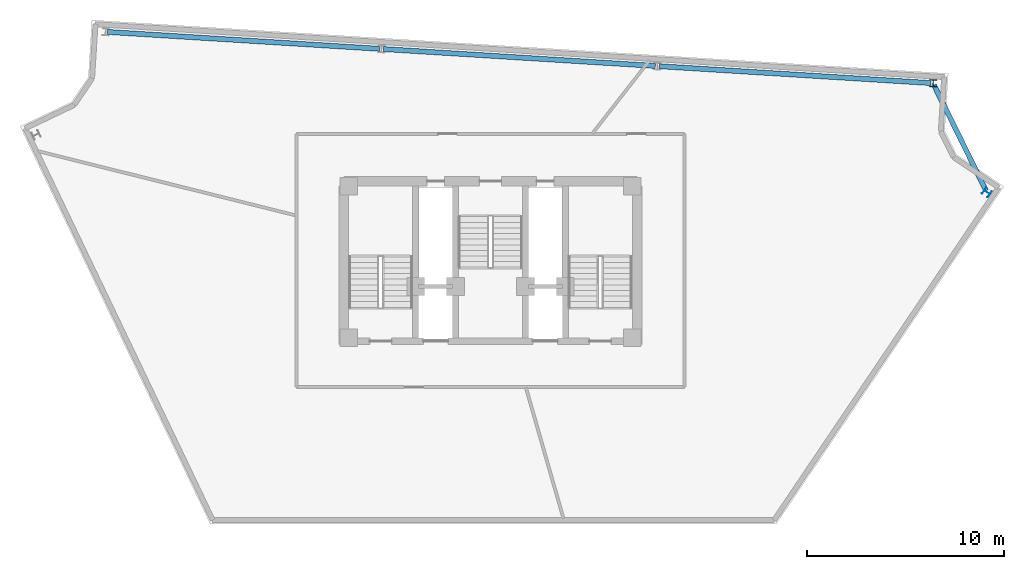
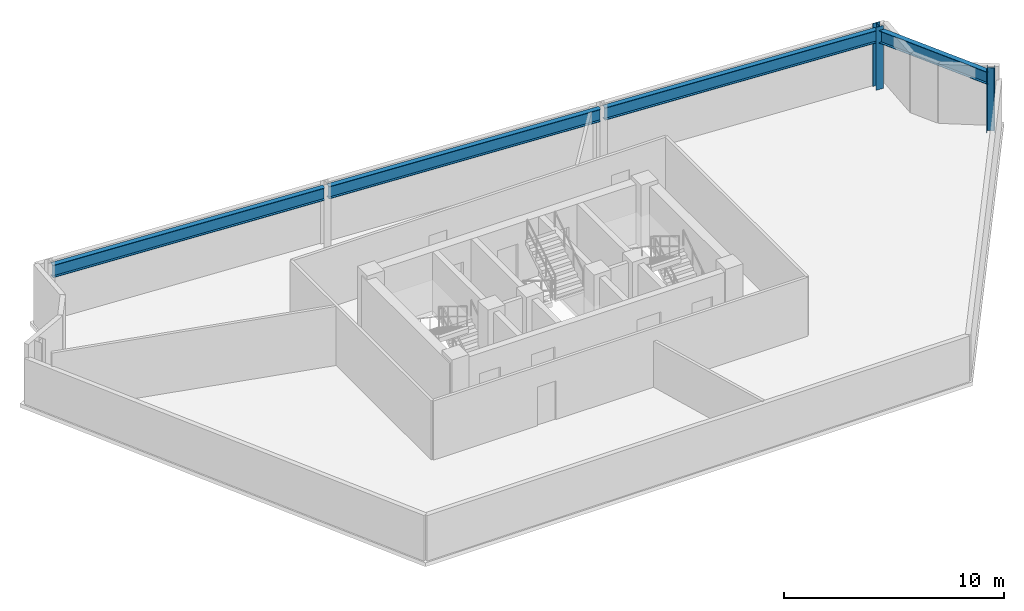
# One storey, part 2 of 5: 4 beams, 2 columns.
"""IFC4 building model written with IfcOpenShell, lengths in metres."""

from ifc_helpers import new_model, si_unit, direction, frame, origin, origin_2d, place, context, subcontext, project, spatial, i_section, extrude, material, material_profile, profile_set, type_object, element, save


model = new_model("IFC4")

# Units and contexts
model_context = context("Model", 3, precision=1e-05, world=origin(), true_north=direction((0.0, 1.0)))
body_context = subcontext(model_context, "Body", "Model", "MODEL_VIEW")
ifc_project = project(units=[si_unit("LENGTHUNIT", "METRE"), si_unit("AREAUNIT", "SQUARE_METRE"), si_unit("VOLUMEUNIT", "CUBIC_METRE"), si_unit("PLANEANGLEUNIT", "RADIAN"), si_unit("MASSUNIT", "GRAM", prefix="KILO")], contexts=[model_context])

# Site, building, storey
site_placement = place(None, origin())
site = spatial("IfcSite", under=ifc_project, at=site_placement, CompositionType="ELEMENT")
building_placement = place(site_placement, origin())
building = spatial("IfcBuilding", under=site, at=building_placement, Name="Apsidion Concourse Tower", CompositionType="ELEMENT")
storey_placement = place(building_placement, frame((0.0, 0.0, 343.0)))
storey = spatial("IfcBuildingStorey", under=building, at=storey_placement, Name="L81", CompositionType="ELEMENT", Elevation=343.0)

# Columns
ifc_material = material(Name="Structural steel ASTM A992 Grade 50", Category="steel")
ifc_material_profile_1 = material_profile(ifc_material, i_section(OverallWidth=0.367919921875, OverallDepth=0.35595703125, WebThickness=0.01123046875, FlangeThickness=0.01806640625, at=origin_2d()), Name="W14X90")
ifc_profile_set_1 = profile_set([ifc_material_profile_1], Name="Structural steel ASTM A992 Grade 50")
column_type = type_object("IfcColumnType", Name="COL-W14-90", PredefinedType="COLUMN", material=ifc_profile_set_1)
for number, where, z_axis, x_axis, name in (
    (1, (25.208984375, 8.83251953125, 0.0), (0.0, 0.0, 1.0), (0.559192903471, 0.829037572555, 0.0), "L81 Rotated Perimeter Column PC08"),
    (2, (22.47705078125, 14.378662109375, 0.0), (0.0, 0.0, 1.0), (-0.998081143466, 0.061919553109, 0.0), "L81 Rotated Perimeter Column PC09"),
):
    element("IfcColumn", number, at=place(storey_placement, frame(where, z_axis=z_axis, x_axis=x_axis)), inside=storey, type_object=column_type, Name=name, PredefinedType="COLUMN", context=body_context, shape_type="SweptSolid", body=[
        extrude(i_section(OverallWidth=0.367919921875, OverallDepth=0.35595703125, WebThickness=0.01123046875, FlangeThickness=0.01806640625, at=origin_2d()), origin(), (0.0, 0.0, 1.0), 3.5),
    ])

# Beams
ifc_material_profile_2 = material_profile(ifc_material, i_section(OverallWidth=0.256103515625, OverallDepth=0.693115234375, WebThickness=0.014404296875, FlangeThickness=0.023681640625, at=origin_2d()), Name="W27X114")
ifc_profile_set_2 = profile_set([ifc_material_profile_2], Name="Structural steel ASTM A992 Grade 50")
beam_type = type_object("IfcBeamType", Name="BM-SP-W27", PredefinedType="SPANDREL", material=ifc_profile_set_2)
beam_1_placement = place(storey_placement, frame((25.164794921875, 8.922119140625, 2.93359375), z_axis=(-0.441884134894, 0.897072132734, 0.0), x_axis=(-0.897072132734, -0.441884134894, 0.0)))
element("IfcBeam", 3, at=beam_1_placement, inside=storey, type_object=beam_type, Name="L81 Crown Perimeter Spandrel Beam CSP-02", PredefinedType="SPANDREL", context=body_context, shape_type="SweptSolid", body=[
    extrude(i_section(OverallWidth=0.256103515625, OverallDepth=0.693115234375, WebThickness=0.014404296875, FlangeThickness=0.023681640625, at=origin_2d()), origin(), (0.0, 0.0, 1.0), 5.982421875),
])
beam_2_placement = place(storey_placement, frame((22.377197265625, 14.384765625, 2.93359375), z_axis=(-0.998077561187, 0.06197726886, 0.0), x_axis=(-0.06197726886, -0.998077561187, 0.0)))
element("IfcBeam", 4, at=beam_2_placement, inside=storey, type_object=beam_type, Name="L81 Crown Perimeter Spandrel Beam CSP-03", PredefinedType="SPANDREL", context=body_context, shape_type="SweptSolid", body=[
    extrude(i_section(OverallWidth=0.256103515625, OverallDepth=0.693115234375, WebThickness=0.014404296875, FlangeThickness=0.023681640625, at=origin_2d()), origin(), (0.0, 0.0, 1.0), 13.83447265625),
])
for number, where, z_axis, x_axis, name in (
    (5, (8.36962890625, 15.254638671875, 2.93359375), (-0.998076537228, 0.061993756414, 0.0), (-0.061993756414, -0.998076537228, 0.0), "L81 Crown Perimeter Spandrel Beam CSP-04"),
    (6, (-5.637939453125, 16.12451171875, 2.93359375), (-0.998076537228, 0.061993756414, 0.0), (-0.061993756414, -0.998076537228, 0.0), "L81 Crown Perimeter Spandrel Beam CSP-05"),
):
    element("IfcBeam", number, at=place(storey_placement, frame(where, z_axis=z_axis, x_axis=x_axis)), inside=storey, type_object=beam_type, Name=name, PredefinedType="SPANDREL", context=body_context, shape_type="SweptSolid", body=[
        extrude(i_section(OverallWidth=0.256103515625, OverallDepth=0.693115234375, WebThickness=0.014404296875, FlangeThickness=0.023681640625, at=origin_2d()), origin(), (0.0, 0.0, 1.0), 13.834716796875),
    ])

save(model, "model.ifc")
